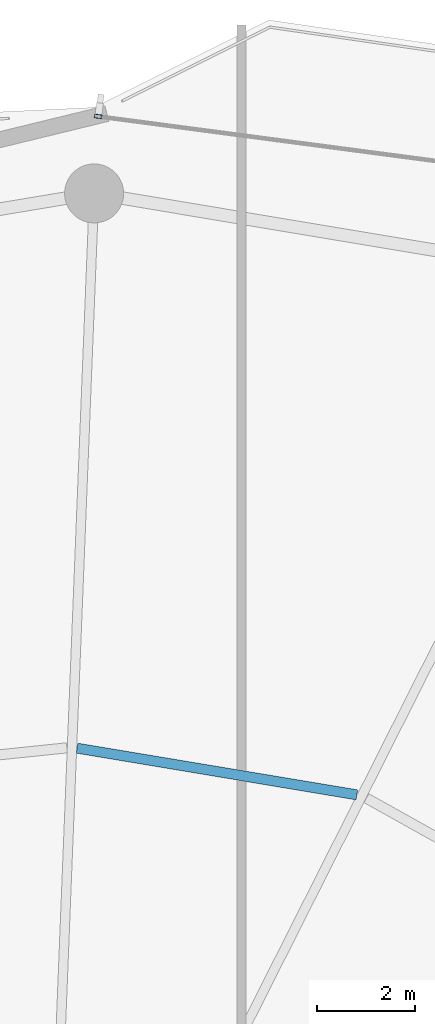
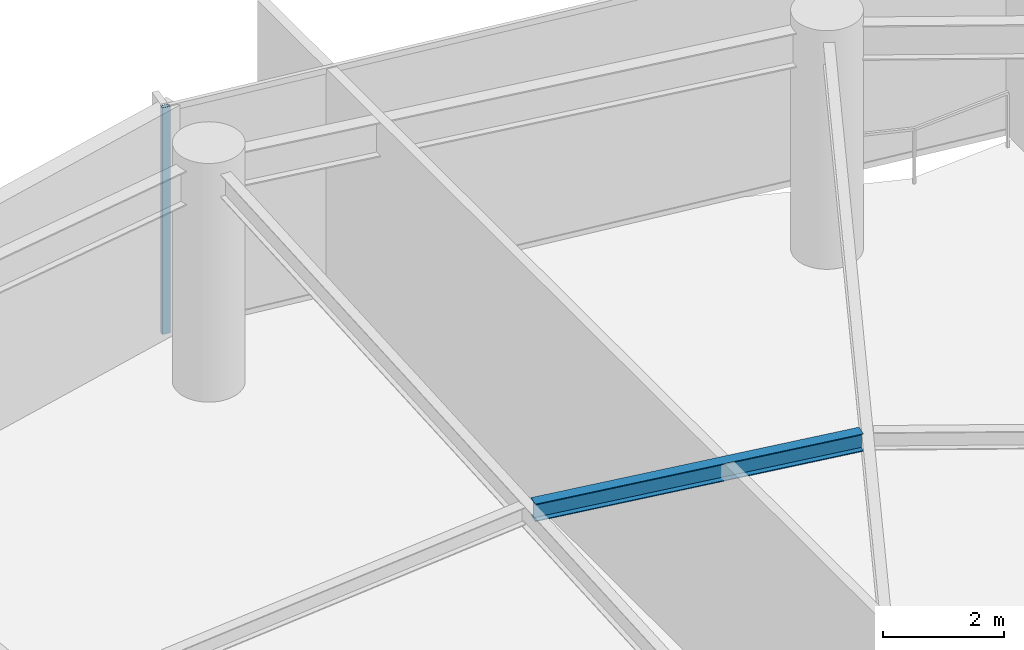
# One storey, part 20 of 30: 1 beam, 1 member, 1 element without a shape of its own.
"""IFC4 building model written with IfcOpenShell, lengths in metres."""

from ifc_helpers import new_model, si_unit, direction, frame, origin, origin_2d, place, context, subcontext, project, spatial, hollow_rectangle, i_section, extrude, material, layer, layer_set, material_profile, profile_set, type_object, element, aggregate, save


model = new_model("IFC4")

# Units and contexts
model_context = context("Model", 3, precision=1e-05, world=origin(), true_north=direction((0.0, 1.0)))
body_context = subcontext(model_context, "Body", "Model", "MODEL_VIEW")
ifc_project = project(units=[si_unit("LENGTHUNIT", "METRE"), si_unit("AREAUNIT", "SQUARE_METRE"), si_unit("VOLUMEUNIT", "CUBIC_METRE"), si_unit("PLANEANGLEUNIT", "RADIAN"), si_unit("MASSUNIT", "GRAM", prefix="KILO")], contexts=[model_context])

# Site, building, storey
site_placement = place(None, origin())
site = spatial("IfcSite", under=ifc_project, at=site_placement, CompositionType="ELEMENT")
building_placement = place(site_placement, origin())
building = spatial("IfcBuilding", under=site, at=building_placement, Name="Kazevale Care Tower and Concert Hall", CompositionType="ELEMENT")
storey_placement = place(building_placement, frame((0.0, 0.0, 97.800048828125)))
storey = spatial("IfcBuildingStorey", under=building, at=storey_placement, Name="L25", CompositionType="ELEMENT", Elevation=97.800048828125)

# Curtain wall, member
ifc_material_1 = material(Name="Aluminium 6063-T6 and Low-E Glass", Category="aluminium")
ifc_layer = layer(ifc_material_1, 0.179931640625)
ifc_layer_set = layer_set([ifc_layer], Name="Aluminium 6063-T6 and Low-E Glass")
curtain_wall_type = type_object("IfcCurtainWallType", Name="Convex Recessed Sunroom Curtain Wall CW-3", PredefinedType="NOTDEFINED", material=ifc_layer_set)
curtain_wall_placement = place(storey_placement, origin())
curtain_wall = element("IfcCurtainWall", 1, at=curtain_wall_placement, inside=storey, type_object=curtain_wall_type, Name="cw:L25:f16", PredefinedType="NOTDEFINED")
ifc_material_2 = material(Name="Aluminium 6063-T6", Category="aluminium")
ifc_material_profile_1 = material_profile(ifc_material_2, hollow_rectangle(XDim=0.074951171875, YDim=0.14990234375, WallThickness=0.00390625, at=origin_2d()), Name="ALU75x150x4")
ifc_profile_set_1 = profile_set([ifc_material_profile_1], Name="Aluminium 6063-T6")
member_type = type_object("IfcMemberType", Name="CW-3 Mullion ALU75x150x4", PredefinedType="MULLION", material=ifc_profile_set_1)
member_placement = place(storey_placement, frame((45.084228515625, 63.01708984375, 0.0), z_axis=(0.0, 0.0, 1.0), x_axis=(0.130822374277, 0.991405823257, 0.0)))
member = element("IfcMember", 2, at=member_placement, type_object=member_type, Name="CW-3 mullion 1", PredefinedType="MULLION", context=body_context, shape_type="SweptSolid", body=[
    extrude(hollow_rectangle(XDim=0.074951171875, YDim=0.14990234375, WallThickness=0.00390625, at=origin_2d()), origin(), (0.0, 0.0, 1.0), 4.56005859375),
])
aggregate(curtain_wall, [member])

# Beam
ifc_material_3 = material(Name="Steel ASTM A572 Gr 50", Category="steel")
ifc_material_profile_2 = material_profile(ifc_material_3, i_section(OverallWidth=0.205078125, OverallDepth=0.35400390625, WebThickness=0.009521484375, FlangeThickness=0.016845703125, at=origin_2d()), Name="W360x79")
ifc_profile_set_2 = profile_set([ifc_material_profile_2], Name="Steel ASTM A572 Gr 50")
beam_type = type_object("IfcBeamType", Name="Secondary Floor Joist W360x79", PredefinedType="JOIST", material=ifc_profile_set_2)
beam_placement = place(storey_placement, frame((50.347900390625, 49.2099609375, 4.383056640625), z_axis=(-0.986366476547, 0.164563586324, 0.0), x_axis=(-0.164563586324, -0.986366476547, 0.0)))
element("IfcBeam", 3, at=beam_placement, inside=storey, type_object=beam_type, Name="beam:L25:joist:04", PredefinedType="JOIST", context=body_context, shape_type="SweptSolid", body=[
    extrude(i_section(OverallWidth=0.205078125, OverallDepth=0.35400390625, WebThickness=0.009521484375, FlangeThickness=0.016845703125, at=origin_2d()), origin(), (0.0, 0.0, 1.0), 5.7724609375),
])

save(model, "model.ifc")
